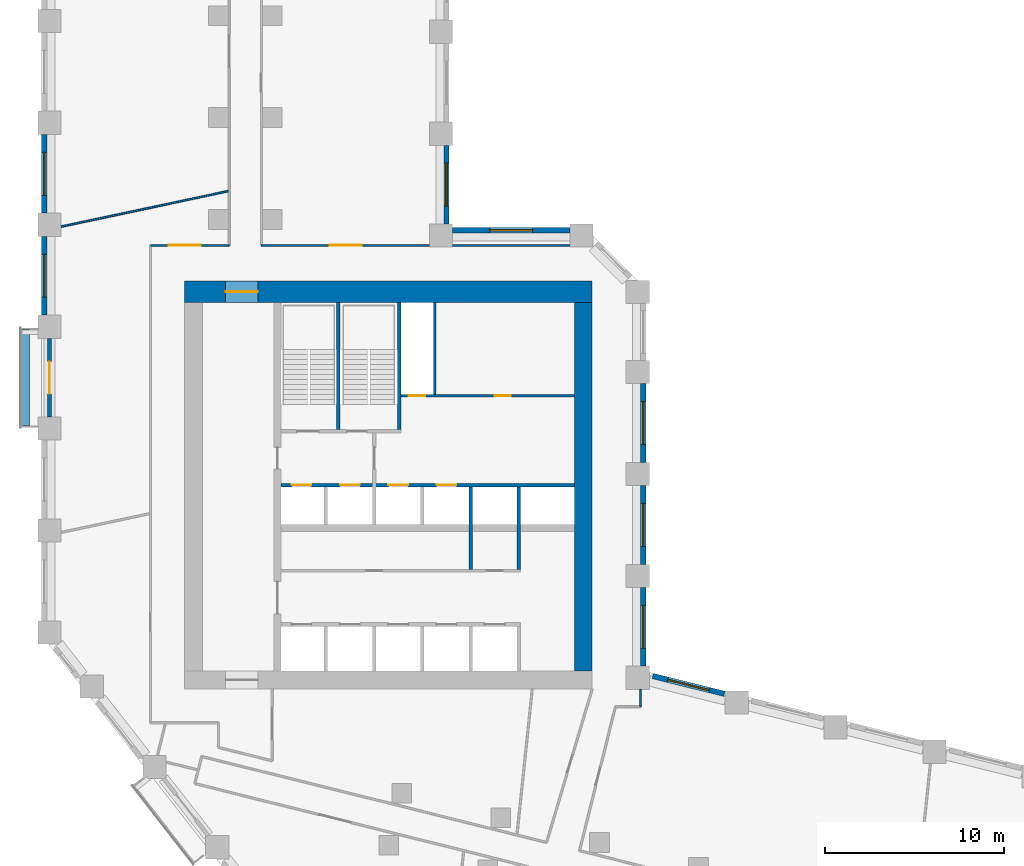
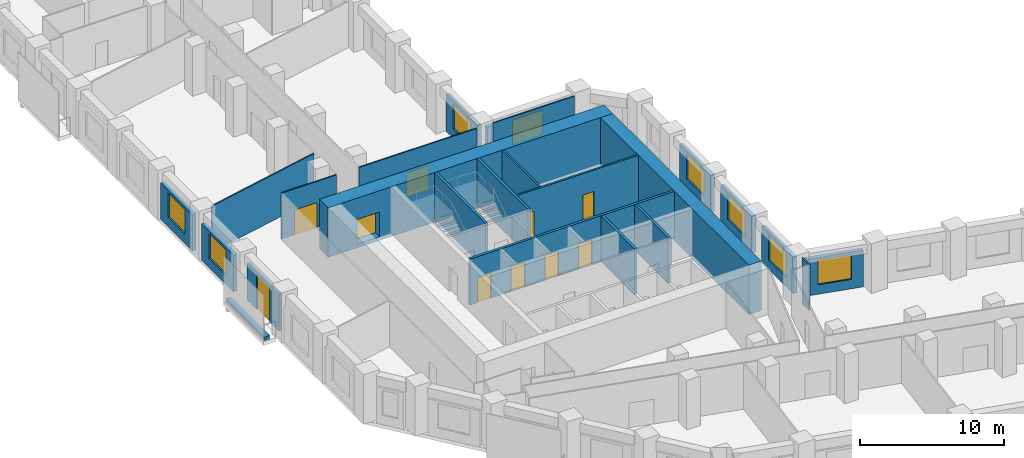
# One storey, part 5 of 11: 24 walls, 10 doors, 8 windows, 18 openings.
"""IFC4 building model written with IfcOpenShell, lengths in metres."""

from ifc_helpers import new_model, si_unit, direction, frame, frame_2d, origin, place, context, subcontext, project, spatial, rectangle, extrude, material, layer, layer_set, type_object, element, fill, save


model = new_model("IFC4")

# Units and contexts
model_context = context("Model", 3, precision=1e-05, world=origin(), true_north=direction((0.0, 1.0)))
body_context = subcontext(model_context, "Body", "Model", "MODEL_VIEW")
ifc_project = project(units=[si_unit("LENGTHUNIT", "METRE"), si_unit("AREAUNIT", "SQUARE_METRE"), si_unit("VOLUMEUNIT", "CUBIC_METRE"), si_unit("PLANEANGLEUNIT", "RADIAN"), si_unit("MASSUNIT", "GRAM", prefix="KILO")], contexts=[model_context])

# Site, building, storey
site_placement = place(None, origin())
site = spatial("IfcSite", under=ifc_project, at=site_placement, CompositionType="ELEMENT")
building_placement = place(site_placement, origin())
building = spatial("IfcBuilding", under=site, at=building_placement, Name="Meshkara Civic Tower", CompositionType="ELEMENT")
storey_placement = place(building_placement, frame((0.0, 0.0, 139.199951171875)))
storey = spatial("IfcBuildingStorey", under=building, at=storey_placement, Name="L31", CompositionType="ELEMENT", Elevation=139.199951171875)

# Wall, openings, doors
ifc_material_1 = material(Name="Blockwork", Category="masonry")
ifc_layer_1 = layer(ifc_material_1, 0.14990234375)
ifc_layer_set_1 = layer_set([ifc_layer_1], Name="Core partition 150")
wall_type_1 = type_object("IfcWallType", Name="Core partition 150", PredefinedType="PARTITIONING", material=ifc_layer_set_1)
wall_1_placement = place(storey_placement, frame((20.10009765625, 30.5, 0.0), z_axis=(0.0, 0.0, 1.0), x_axis=(1.0, 0.0, 0.0)))
wall_1 = element("IfcWall", 1, at=wall_1_placement, inside=storey, type_object=wall_type_1, Name="L31-C010", PredefinedType="PARTITIONING", context=body_context, shape_type="SweptSolid", body=[
    extrude(rectangle(XDim=9.699951171875, YDim=0.14990234375, at=frame_2d((4.85009765625, 0.0))), origin(), (0.0, 0.0, 1.0), 3.900146484375),
])
opening_1_placement = place(wall_1_placement, frame((0.449951171875, 0.0, 0.0)))
opening_1 = element("IfcOpeningElement", 2, at=opening_1_placement, cuts=wall_1, Name="Opening L31-K012", PredefinedType="OPENING", context=body_context, shape_type="SweptSolid", body=[
    extrude(rectangle(XDim=0.89990234375, YDim=2.10009765625, at=frame_2d((0.449951171875, 1.050048828125))), frame((0.0, 0.0849609375, 0.0), z_axis=(0.0, -1.0, 0.0), x_axis=(1.0, 0.0, 0.0)), (0.0, 0.0, 1.0), 0.169921875),
])
opening_2_placement = place(wall_1_placement, frame((5.25, 0.0, 0.0)))
opening_2 = element("IfcOpeningElement", 3, at=opening_2_placement, cuts=wall_1, Name="Opening L31-K013", PredefinedType="OPENING", context=body_context, shape_type="SweptSolid", body=[
    extrude(rectangle(XDim=0.89990234375, YDim=2.10009765625, at=frame_2d((0.449951171875, 1.050048828125))), frame((0.0, 0.0849609375, 0.0), z_axis=(0.0, -1.0, 0.0), x_axis=(1.0, 0.0, 0.0)), (0.0, 0.0, 1.0), 0.169921875),
])
ifc_material_2 = material(Name="Timber door leaf in steel frame", Category="steel")
door_type_1 = type_object("IfcDoorType", Name="Core room door 900", OperationType="SINGLE_SWING_LEFT", PredefinedType="DOOR", material=ifc_material_2)
door_1_placement = place(opening_2_placement, origin())
door_1 = element("IfcDoor", 4, at=door_1_placement, inside=storey, type_object=door_type_1, Name="L31-K013", OperationType="SINGLE_SWING_LEFT", OverallHeight=2.10009765625, OverallWidth=0.89990234375, PredefinedType="DOOR", context=body_context, shape_type="SweptSolid", body=[
    extrude(rectangle(XDim=0.89990234375, YDim=2.10009765625, at=frame_2d((0.449951171875, 1.050048828125))), frame((0.0, 0.02490234375, 0.0), z_axis=(0.0, -1.0, 0.0), x_axis=(1.0, 0.0, 0.0)), (0.0, 0.0, 1.0), 0.050048828125),
])
fill(opening_2, door_1)
ifc_material_3 = material(Name="Fire-rated door leaf in steel frame", Category="steel")
door_type_2 = type_object("IfcDoorType", Name="Riser door 900", OperationType="SINGLE_SWING_LEFT", PredefinedType="DOOR", material=ifc_material_3)
door_2_placement = place(opening_1_placement, origin())
door_2 = element("IfcDoor", 5, at=door_2_placement, inside=storey, type_object=door_type_2, Name="L31-K012", OperationType="SINGLE_SWING_RIGHT", OverallHeight=2.10009765625, OverallWidth=0.89990234375, PredefinedType="DOOR", context=body_context, shape_type="SweptSolid", body=[
    extrude(rectangle(XDim=0.89990234375, YDim=2.10009765625, at=frame_2d((0.449951171875, 1.050048828125))), frame((0.0, 0.02490234375, 0.0), z_axis=(0.0, -1.0, 0.0), x_axis=(1.0, 0.0, 0.0)), (0.0, 0.0, 1.0), 0.050048828125),
])
fill(opening_1, door_2)

# Walls
wall_2_placement = place(storey_placement, frame((22.0, 30.574951171875, 0.0), z_axis=(0.0, 0.0, 1.0), x_axis=(0.0, 1.0, 0.0)))
element("IfcWall", 6, at=wall_2_placement, inside=storey, type_object=wall_type_1, Name="L31-C020", PredefinedType="PARTITIONING", context=body_context, shape_type="SweptSolid", body=[
    extrude(rectangle(XDim=5.125, YDim=0.14990234375, at=frame_2d((2.5625, 0.0))), origin(), (0.0, 0.0, 1.0), 3.900146484375),
])
ifc_material_4 = material(Name="Concrete C70", Category="concrete")
ifc_layer_2 = layer(ifc_material_4, 1.0)
ifc_layer_set_2 = layer_set([ifc_layer_2], Name="Core ring wall 1000 C70")
wall_type_2 = type_object("IfcWallType", Name="Core ring wall 1000 C70", PredefinedType="SHEAR", material=ifc_layer_set_2)
wall_3_placement = place(storey_placement, frame((30.300048828125, 15.10009765625, -0.300048828125), z_axis=(0.0, 0.0, 1.0), x_axis=(0.0, 1.0, 0.0)))
element("IfcWall", 7, at=wall_3_placement, inside=storey, type_object=wall_type_2, Name="L31-C004", PredefinedType="SHEAR", context=body_context, shape_type="SweptSolid", body=[
    extrude(rectangle(XDim=20.599853515625, YDim=1.0, at=frame_2d((10.2998046875, 0.0))), origin(), (0.0, 0.0, 1.0), 4.2001953125),
])

# Wall, opening, door
ifc_material_5 = material(Name="Concrete C70", Category="concrete")
ifc_layer_3 = layer(ifc_material_5, 1.199951171875)
ifc_layer_set_3 = layer_set([ifc_layer_3], Name="Core ring wall 1200 C70")
wall_type_3 = type_object("IfcWallType", Name="Core ring wall 1200 C70", PredefinedType="SHEAR", material=ifc_layer_set_3)
wall_4_placement = place(storey_placement, frame((8.0, 36.300048828125, -0.300048828125), z_axis=(0.0, 0.0, 1.0), x_axis=(1.0, 0.0, 0.0)))
wall_4 = element("IfcWall", 8, at=wall_4_placement, inside=storey, type_object=wall_type_3, Name="L31-C002", PredefinedType="SHEAR", context=body_context, shape_type="SweptSolid", body=[
    extrude(rectangle(XDim=22.800048828125, YDim=1.199951171875, at=frame_2d((11.39990234375, 0.0))), origin(), (0.0, 0.0, 1.0), 4.2001953125),
])
opening_3_placement = place(wall_4_placement, frame((2.300048828125, 0.0, 0.300048828125)))
opening_3 = element("IfcOpeningElement", 9, at=opening_3_placement, cuts=wall_4, Name="Opening L31-K019", PredefinedType="OPENING", context=body_context, shape_type="SweptSolid", body=[
    extrude(rectangle(XDim=1.800048828125, YDim=2.10009765625, at=frame_2d((0.89990234375, 1.050048828125))), frame((0.0, 0.60986328125, 0.0), z_axis=(0.0, -1.0, 0.0), x_axis=(1.0, 0.0, 0.0)), (0.0, 0.0, 1.0), 1.219970703125),
])
ifc_material_6 = material(Name="Fire-rated door leaf in steel frame", Category="steel")
door_type_3 = type_object("IfcDoorType", Name="Core double door 1800 EI 60", OperationType="DOUBLE_DOOR_SINGLE_SWING", PredefinedType="DOOR", material=ifc_material_6)
door_3_placement = place(opening_3_placement, origin())
door_3 = element("IfcDoor", 10, at=door_3_placement, inside=storey, type_object=door_type_3, Name="L31-K019", OperationType="DOUBLE_DOOR_SINGLE_SWING", OverallHeight=2.10009765625, OverallWidth=1.800048828125, PredefinedType="DOOR", context=body_context, shape_type="SweptSolid", body=[
    extrude(rectangle(XDim=1.800048828125, YDim=2.10009765625, at=frame_2d((0.89990234375, 1.050048828125))), frame((0.0, 0.02490234375, 0.0), z_axis=(0.0, -1.0, 0.0), x_axis=(1.0, 0.0, 0.0)), (0.0, 0.0, 1.0), 0.050048828125),
])
fill(opening_3, door_3)

ifc_material_7 = material(Name="Corridor wall 100")
ifc_layer_4 = layer(ifc_material_7, 0.10009765625)
ifc_layer_set_4 = layer_set([ifc_layer_4], Name="Corridor wall 100")
wall_type_4 = type_object("IfcWallType", Name="Corridor wall 100", PredefinedType="PARTITIONING", material=ifc_layer_set_4)
wall_5_placement = place(storey_placement, frame((10.5, 38.89990234375, 0.0), z_axis=(0.0, 0.0, 1.0), x_axis=(-1.0, 0.0, 0.0)))
wall_5 = element("IfcWall", 11, at=wall_5_placement, inside=storey, type_object=wall_type_4, Name="L31-W011", PredefinedType="PARTITIONING", context=body_context, shape_type="SweptSolid", body=[
    extrude(rectangle(XDim=4.39990234375, YDim=0.10009765625, at=frame_2d((2.199951171875, 0.0))), origin(), (0.0, 0.0, 1.0), 3.900146484375),
])
opening_4_placement = place(wall_5_placement, frame((1.580078125, 0.0, 0.0)))
opening_4 = element("IfcOpeningElement", 12, at=opening_4_placement, cuts=wall_5, Name="Opening L31-D016", PredefinedType="OPENING", context=body_context, shape_type="SweptSolid", body=[
    extrude(rectangle(XDim=1.800048828125, YDim=2.10009765625, at=frame_2d((0.89990234375, 1.050048828125))), frame((0.0, 0.06005859375, 0.0), z_axis=(0.0, -1.0, 0.0), x_axis=(1.0, 0.0, 0.0)), (0.0, 0.0, 1.0), 0.1201171875),
])
ifc_material_8 = material(Name="Door pair 1800 x 2100")
door_type_4 = type_object("IfcDoorType", Name="Door pair 1800 x 2100", OperationType="SINGLE_SWING_LEFT", PredefinedType="DOOR", material=ifc_material_8)
door_4_placement = place(opening_4_placement, origin())
door_4 = element("IfcDoor", 13, at=door_4_placement, inside=storey, type_object=door_type_4, Name="L31-D016", OperationType="DOUBLE_DOOR_SINGLE_SWING", OverallHeight=2.10009765625, OverallWidth=1.800048828125, PredefinedType="DOOR", context=body_context, shape_type="SweptSolid", body=[
    extrude(rectangle(XDim=1.800048828125, YDim=2.10009765625, at=frame_2d((0.89990234375, 1.050048828125))), frame((0.0, 0.02490234375, 0.0), z_axis=(0.0, -1.0, 0.0), x_axis=(1.0, 0.0, 0.0)), (0.0, 0.0, 1.0), 0.050048828125),
])
fill(opening_4, door_4)

wall_6_placement = place(storey_placement, frame((21.699951171875, 38.89990234375, 0.0), z_axis=(0.0, 0.0, 1.0), x_axis=(-1.0, 0.0, 0.0)))
wall_6 = element("IfcWall", 14, at=wall_6_placement, inside=storey, type_object=wall_type_4, Name="L31-W018", PredefinedType="PARTITIONING", context=body_context, shape_type="SweptSolid", body=[
    extrude(rectangle(XDim=9.39990234375, YDim=0.10009765625, at=frame_2d((4.699951171875, 0.0))), origin(), (0.0, 0.0, 1.0), 3.900146484375),
])
opening_5_placement = place(wall_6_placement, frame((3.780029296875, 0.0, 0.0)))
opening_5 = element("IfcOpeningElement", 15, at=opening_5_placement, cuts=wall_6, Name="Opening L31-D017", PredefinedType="OPENING", context=body_context, shape_type="SweptSolid", body=[
    extrude(rectangle(XDim=1.800048828125, YDim=2.10009765625, at=frame_2d((0.89990234375, 1.050048828125))), frame((0.0, 0.06005859375, 0.0), z_axis=(0.0, -1.0, 0.0), x_axis=(1.0, 0.0, 0.0)), (0.0, 0.0, 1.0), 0.1201171875),
])
door_5_placement = place(opening_5_placement, origin())
door_5 = element("IfcDoor", 16, at=door_5_placement, inside=storey, type_object=door_type_4, Name="L31-D017", OperationType="DOUBLE_DOOR_SINGLE_SWING", OverallHeight=2.10009765625, OverallWidth=1.800048828125, PredefinedType="DOOR", context=body_context, shape_type="SweptSolid", body=[
    extrude(rectangle(XDim=1.800048828125, YDim=2.10009765625, at=frame_2d((0.89990234375, 1.050048828125))), frame((0.0, 0.02490234375, 0.0), z_axis=(0.0, -1.0, 0.0), x_axis=(1.0, 0.0, 0.0)), (0.0, 0.0, 1.0), 0.050048828125),
])
fill(opening_5, door_5)

# Walls
wall_7_placement = place(storey_placement, frame((29.5439453125, 38.89990234375, 0.0), z_axis=(0.0, 0.0, 1.0), x_axis=(-1.0, 0.0, 0.0)))
element("IfcWall", 17, at=wall_7_placement, inside=storey, type_object=wall_type_4, Name="L31-W019", PredefinedType="PARTITIONING", context=body_context, shape_type="SweptSolid", body=[
    extrude(rectangle(XDim=6.5439453125, YDim=0.10009765625, at=frame_2d((3.27197265625, 0.0))), origin(), (0.0, 0.0, 1.0), 3.900146484375),
])
wall_8_placement = place(storey_placement, frame((33.5, 13.10009765625, 0.0), z_axis=(0.0, 0.0, 1.0), x_axis=(0.0, 1.0, 0.0)))
element("IfcWall", 18, at=wall_8_placement, inside=storey, type_object=wall_type_4, Name="L31-W024", PredefinedType="PARTITIONING", context=body_context, shape_type="SweptSolid", body=[
    extrude(rectangle(XDim=0.968994140625, YDim=0.10009765625, at=frame_2d((0.484375, 0.0))), origin(), (0.0, 0.0, 1.0), 3.900146484375),
])

# Wall, opening, window
ifc_material_9 = material(Name="Insulated infill panel with bronze anodised aluminium cladding", Category="aluminium")
ifc_layer_5 = layer(ifc_material_9, 0.300048828125)
ifc_layer_set_5 = layer_set([ifc_layer_5], Name="EXTERNAL INFILL WALL 300")
wall_type_5 = type_object("IfcWallType", Name="EXTERNAL INFILL WALL 300", PredefinedType="SOLIDWALL", material=ifc_layer_set_5)
wall_9_placement = place(storey_placement, frame((38.18896484375, 13.822021484375, 0.0), z_axis=(0.0, 0.0, 1.0), x_axis=(-0.970281616392, 0.241978480223, 0.0)))
wall_9 = element("IfcWall", 19, at=wall_9_placement, inside=storey, type_object=wall_type_5, Name="External wall", PredefinedType="SOLIDWALL", context=body_context, shape_type="SweptSolid", body=[
    extrude(rectangle(XDim=4.12451171875, YDim=0.300048828125, at=frame_2d((2.062255859375, 0.0))), origin(), (0.0, 0.0, 1.0), 3.10009765625),
])
opening_6_placement = place(wall_9_placement, frame((0.862060546875, 0.0, 0.800048828125)))
opening_6 = element("IfcOpeningElement", 20, at=opening_6_placement, cuts=wall_9, Name="Opening W7", PredefinedType="OPENING", context=body_context, shape_type="SweptSolid", body=[
    extrude(rectangle(XDim=2.39990234375, YDim=2.10009765625, at=frame_2d((1.199951171875, 1.050048828125))), frame((0.0, 0.159912109375, 0.0), z_axis=(0.0, -1.0, 0.0), x_axis=(1.0, 0.0, 0.0)), (0.0, 0.0, 1.0), 0.320068359375),
])
ifc_material_10 = material(Name="Tinted double glazing", Category="glass")
window_type = type_object("IfcWindowType", Name="WINDOW 2400x2100", PartitioningType="DOUBLE_PANEL_VERTICAL", PredefinedType="WINDOW", material=ifc_material_10)
window_1_placement = place(opening_6_placement, origin())
window_1 = element("IfcWindow", 21, at=window_1_placement, inside=storey, type_object=window_type, Name="Window", OverallHeight=2.10009765625, OverallWidth=2.39990234375, PartitioningType="DOUBLE_PANEL_VERTICAL", PredefinedType="WINDOW", context=body_context, shape_type="SweptSolid", body=[
    extrude(rectangle(XDim=2.39990234375, YDim=2.10009765625, at=frame_2d((1.199951171875, 1.050048828125))), frame((0.0, 0.030029296875, 0.0), z_axis=(0.0, -1.0, 0.0), x_axis=(1.0, 0.0, 0.0)), (0.0, 0.0, 1.0), 0.06005859375),
])
fill(opening_6, window_1)

wall_10_placement = place(storey_placement, frame((33.64990234375, 15.368896484375, 0.0), z_axis=(0.0, 0.0, 1.0), x_axis=(0.0, 1.0, 0.0)))
wall_10 = element("IfcWall", 22, at=wall_10_placement, inside=storey, type_object=wall_type_5, Name="External wall", PredefinedType="SOLIDWALL", context=body_context, shape_type="SweptSolid", body=[
    extrude(rectangle(XDim=4.400146484375, YDim=0.300048828125, at=frame_2d((2.2001953125, 0.0))), origin(), (0.0, 0.0, 1.0), 3.10009765625),
])
opening_7_placement = place(wall_10_placement, frame((1.0, 0.0, 0.800048828125)))
opening_7 = element("IfcOpeningElement", 23, at=opening_7_placement, cuts=wall_10, Name="Opening W7", PredefinedType="OPENING", context=body_context, shape_type="SweptSolid", body=[
    extrude(rectangle(XDim=2.39990234375, YDim=2.10009765625, at=frame_2d((1.199951171875, 1.050048828125))), frame((0.0, 0.159912109375, 0.0), z_axis=(0.0, -1.0, 0.0), x_axis=(1.0, 0.0, 0.0)), (0.0, 0.0, 1.0), 0.320068359375),
])
window_2_placement = place(opening_7_placement, origin())
window_2 = element("IfcWindow", 24, at=window_2_placement, inside=storey, type_object=window_type, Name="Window", OverallHeight=2.10009765625, OverallWidth=2.39990234375, PartitioningType="DOUBLE_PANEL_VERTICAL", PredefinedType="WINDOW", context=body_context, shape_type="SweptSolid", body=[
    extrude(rectangle(XDim=2.39990234375, YDim=2.10009765625, at=frame_2d((1.199951171875, 1.050048828125))), frame((0.0, 0.030029296875, 0.0), z_axis=(0.0, -1.0, 0.0), x_axis=(1.0, 0.0, 0.0)), (0.0, 0.0, 1.0), 0.06005859375),
])
fill(opening_7, window_2)

wall_11_placement = place(storey_placement, frame((33.64990234375, 21.069091796875, 0.0), z_axis=(0.0, 0.0, 1.0), x_axis=(0.0, 1.0, 0.0)))
wall_11 = element("IfcWall", 25, at=wall_11_placement, inside=storey, type_object=wall_type_5, Name="External wall", PredefinedType="SOLIDWALL", context=body_context, shape_type="SweptSolid", body=[
    extrude(rectangle(XDim=4.39990234375, YDim=0.300048828125, at=frame_2d((2.199951171875, 0.0))), origin(), (0.0, 0.0, 1.0), 3.10009765625),
])
opening_8_placement = place(wall_11_placement, frame((1.0, 0.0, 0.800048828125)))
opening_8 = element("IfcOpeningElement", 26, at=opening_8_placement, cuts=wall_11, Name="Opening W7", PredefinedType="OPENING", context=body_context, shape_type="SweptSolid", body=[
    extrude(rectangle(XDim=2.39990234375, YDim=2.10009765625, at=frame_2d((1.199951171875, 1.050048828125))), frame((0.0, 0.159912109375, 0.0), z_axis=(0.0, -1.0, 0.0), x_axis=(1.0, 0.0, 0.0)), (0.0, 0.0, 1.0), 0.320068359375),
])
window_3_placement = place(opening_8_placement, origin())
window_3 = element("IfcWindow", 27, at=window_3_placement, inside=storey, type_object=window_type, Name="Window", OverallHeight=2.10009765625, OverallWidth=2.39990234375, PartitioningType="DOUBLE_PANEL_VERTICAL", PredefinedType="WINDOW", context=body_context, shape_type="SweptSolid", body=[
    extrude(rectangle(XDim=2.39990234375, YDim=2.10009765625, at=frame_2d((1.199951171875, 1.050048828125))), frame((0.0, 0.030029296875, 0.0), z_axis=(0.0, -1.0, 0.0), x_axis=(1.0, 0.0, 0.0)), (0.0, 0.0, 1.0), 0.06005859375),
])
fill(opening_8, window_3)

wall_12_placement = place(storey_placement, frame((33.64990234375, 26.76904296875, 0.0), z_axis=(0.0, 0.0, 1.0), x_axis=(0.0, 1.0, 0.0)))
wall_12 = element("IfcWall", 28, at=wall_12_placement, inside=storey, type_object=wall_type_5, Name="External wall", PredefinedType="SOLIDWALL", context=body_context, shape_type="SweptSolid", body=[
    extrude(rectangle(XDim=4.39990234375, YDim=0.300048828125, at=frame_2d((2.199951171875, 0.0))), origin(), (0.0, 0.0, 1.0), 3.10009765625),
])
opening_9_placement = place(wall_12_placement, frame((1.0, 0.0, 0.800048828125)))
opening_9 = element("IfcOpeningElement", 29, at=opening_9_placement, cuts=wall_12, Name="Opening W7", PredefinedType="OPENING", context=body_context, shape_type="SweptSolid", body=[
    extrude(rectangle(XDim=2.39990234375, YDim=2.10009765625, at=frame_2d((1.199951171875, 1.050048828125))), frame((0.0, 0.159912109375, 0.0), z_axis=(0.0, -1.0, 0.0), x_axis=(1.0, 0.0, 0.0)), (0.0, 0.0, 1.0), 0.320068359375),
])
window_4_placement = place(opening_9_placement, origin())
window_4 = element("IfcWindow", 30, at=window_4_placement, inside=storey, type_object=window_type, Name="Window", OverallHeight=2.10009765625, OverallWidth=2.39990234375, PartitioningType="DOUBLE_PANEL_VERTICAL", PredefinedType="WINDOW", context=body_context, shape_type="SweptSolid", body=[
    extrude(rectangle(XDim=2.39990234375, YDim=2.10009765625, at=frame_2d((1.199951171875, 1.050048828125))), frame((0.0, 0.030029296875, 0.0), z_axis=(0.0, -1.0, 0.0), x_axis=(1.0, 0.0, 0.0)), (0.0, 0.0, 1.0), 0.06005859375),
])
fill(opening_9, window_4)

wall_13_placement = place(storey_placement, frame((29.5439453125, 39.75, 0.0), z_axis=(0.0, 0.0, 1.0), x_axis=(-1.0, 0.0, 0.0)))
wall_13 = element("IfcWall", 31, at=wall_13_placement, inside=storey, type_object=wall_type_5, Name="External wall", PredefinedType="SOLIDWALL", context=body_context, shape_type="SweptSolid", body=[
    extrude(rectangle(XDim=6.5439453125, YDim=0.300048828125, at=frame_2d((3.27197265625, 0.0))), origin(), (0.0, 0.0, 1.0), 3.10009765625),
])
opening_10_placement = place(wall_13_placement, frame((2.072021484375, 0.0, 0.800048828125)))
opening_10 = element("IfcOpeningElement", 32, at=opening_10_placement, cuts=wall_13, Name="Opening W7", PredefinedType="OPENING", context=body_context, shape_type="SweptSolid", body=[
    extrude(rectangle(XDim=2.39990234375, YDim=2.10009765625, at=frame_2d((1.199951171875, 1.050048828125))), frame((0.0, 0.159912109375, 0.0), z_axis=(0.0, -1.0, 0.0), x_axis=(1.0, 0.0, 0.0)), (0.0, 0.0, 1.0), 0.320068359375),
])
window_5_placement = place(opening_10_placement, origin())
window_5 = element("IfcWindow", 33, at=window_5_placement, inside=storey, type_object=window_type, Name="Window", OverallHeight=2.10009765625, OverallWidth=2.39990234375, PartitioningType="DOUBLE_PANEL_VERTICAL", PredefinedType="WINDOW", context=body_context, shape_type="SweptSolid", body=[
    extrude(rectangle(XDim=2.39990234375, YDim=2.10009765625, at=frame_2d((1.199951171875, 1.050048828125))), frame((0.0, 0.030029296875, 0.0), z_axis=(0.0, -1.0, 0.0), x_axis=(1.0, 0.0, 0.0)), (0.0, 0.0, 1.0), 0.06005859375),
])
fill(opening_10, window_5)

wall_14_placement = place(storey_placement, frame((22.64990234375, 40.10009765625, 0.0), z_axis=(0.0, 0.0, 1.0), x_axis=(0.0, 1.0, 0.0)))
wall_14 = element("IfcWall", 34, at=wall_14_placement, inside=storey, type_object=wall_type_5, Name="External wall", PredefinedType="SOLIDWALL", context=body_context, shape_type="SweptSolid", body=[
    extrude(rectangle(XDim=4.39990234375, YDim=0.300048828125, at=frame_2d((2.199951171875, 0.0))), origin(), (0.0, 0.0, 1.0), 3.10009765625),
])
opening_11_placement = place(wall_14_placement, frame((1.0, 0.0, 0.800048828125)))
opening_11 = element("IfcOpeningElement", 35, at=opening_11_placement, cuts=wall_14, Name="Opening W7", PredefinedType="OPENING", context=body_context, shape_type="SweptSolid", body=[
    extrude(rectangle(XDim=2.39990234375, YDim=2.10009765625, at=frame_2d((1.199951171875, 1.050048828125))), frame((0.0, 0.159912109375, 0.0), z_axis=(0.0, -1.0, 0.0), x_axis=(1.0, 0.0, 0.0)), (0.0, 0.0, 1.0), 0.320068359375),
])
window_6_placement = place(opening_11_placement, origin())
window_6 = element("IfcWindow", 36, at=window_6_placement, inside=storey, type_object=window_type, Name="Window", OverallHeight=2.10009765625, OverallWidth=2.39990234375, PartitioningType="DOUBLE_PANEL_VERTICAL", PredefinedType="WINDOW", context=body_context, shape_type="SweptSolid", body=[
    extrude(rectangle(XDim=2.39990234375, YDim=2.10009765625, at=frame_2d((1.199951171875, 1.050048828125))), frame((0.0, 0.030029296875, 0.0), z_axis=(0.0, -1.0, 0.0), x_axis=(1.0, 0.0, 0.0)), (0.0, 0.0, 1.0), 0.06005859375),
])
fill(opening_11, window_6)

wall_15_placement = place(storey_placement, frame((0.14990234375, 45.10498046875, 0.0), z_axis=(0.0, 0.0, 1.0), x_axis=(0.0, -1.0, 0.0)))
wall_15 = element("IfcWall", 37, at=wall_15_placement, inside=storey, type_object=wall_type_5, Name="External wall", PredefinedType="SOLIDWALL", context=body_context, shape_type="SweptSolid", body=[
    extrude(rectangle(XDim=4.39990234375, YDim=0.300048828125, at=frame_2d((2.199951171875, 0.0))), origin(), (0.0, 0.0, 1.0), 3.10009765625),
])
opening_12_placement = place(wall_15_placement, frame((1.0, 0.0, 0.800048828125)))
opening_12 = element("IfcOpeningElement", 38, at=opening_12_placement, cuts=wall_15, Name="Opening W7", PredefinedType="OPENING", context=body_context, shape_type="SweptSolid", body=[
    extrude(rectangle(XDim=2.39990234375, YDim=2.10009765625, at=frame_2d((1.199951171875, 1.050048828125))), frame((0.0, 0.159912109375, 0.0), z_axis=(0.0, -1.0, 0.0), x_axis=(1.0, 0.0, 0.0)), (0.0, 0.0, 1.0), 0.320068359375),
])
window_7_placement = place(opening_12_placement, origin())
window_7 = element("IfcWindow", 39, at=window_7_placement, inside=storey, type_object=window_type, Name="Window", OverallHeight=2.10009765625, OverallWidth=2.39990234375, PartitioningType="DOUBLE_PANEL_VERTICAL", PredefinedType="WINDOW", context=body_context, shape_type="SweptSolid", body=[
    extrude(rectangle(XDim=2.39990234375, YDim=2.10009765625, at=frame_2d((1.199951171875, 1.050048828125))), frame((0.0, 0.030029296875, 0.0), z_axis=(0.0, -1.0, 0.0), x_axis=(1.0, 0.0, 0.0)), (0.0, 0.0, 1.0), 0.06005859375),
])
fill(opening_12, window_7)

wall_16_placement = place(storey_placement, frame((0.14990234375, 39.405029296875, 0.0), z_axis=(0.0, 0.0, 1.0), x_axis=(0.0, -1.0, 0.0)))
wall_16 = element("IfcWall", 40, at=wall_16_placement, inside=storey, type_object=wall_type_5, Name="External wall", PredefinedType="SOLIDWALL", context=body_context, shape_type="SweptSolid", body=[
    extrude(rectangle(XDim=4.400146484375, YDim=0.300048828125, at=frame_2d((2.2001953125, 0.0))), origin(), (0.0, 0.0, 1.0), 3.10009765625),
])
opening_13_placement = place(wall_16_placement, frame((1.0, 0.0, 0.800048828125)))
opening_13 = element("IfcOpeningElement", 41, at=opening_13_placement, cuts=wall_16, Name="Opening W7", PredefinedType="OPENING", context=body_context, shape_type="SweptSolid", body=[
    extrude(rectangle(XDim=2.39990234375, YDim=2.10009765625, at=frame_2d((1.199951171875, 1.050048828125))), frame((0.0, 0.159912109375, 0.0), z_axis=(0.0, -1.0, 0.0), x_axis=(1.0, 0.0, 0.0)), (0.0, 0.0, 1.0), 0.320068359375),
])
window_8_placement = place(opening_13_placement, origin())
window_8 = element("IfcWindow", 42, at=window_8_placement, inside=storey, type_object=window_type, Name="Window", OverallHeight=2.10009765625, OverallWidth=2.39990234375, PartitioningType="DOUBLE_PANEL_VERTICAL", PredefinedType="WINDOW", context=body_context, shape_type="SweptSolid", body=[
    extrude(rectangle(XDim=2.39990234375, YDim=2.10009765625, at=frame_2d((1.199951171875, 1.050048828125))), frame((0.0, 0.030029296875, 0.0), z_axis=(0.0, -1.0, 0.0), x_axis=(1.0, 0.0, 0.0)), (0.0, 0.0, 1.0), 0.06005859375),
])
fill(opening_13, window_8)

# Wall, opening, door
ifc_material_11 = material(Name="Insulated infill panel with bronze anodised aluminium cladding", Category="aluminium")
ifc_layer_6 = layer(ifc_material_11, 0.199951171875)
ifc_layer_set_6 = layer_set([ifc_layer_6], Name="LOGGIA BACK WALL 200")
wall_type_6 = type_object("IfcWallType", Name="LOGGIA BACK WALL 200", PredefinedType="SOLIDWALL", material=ifc_layer_set_6)
wall_17_placement = place(storey_placement, frame((0.449951171875, 33.7041015625, 0.0), z_axis=(0.0, 0.0, 1.0), x_axis=(0.0, -1.0, 0.0)))
wall_17 = element("IfcWall", 43, at=wall_17_placement, inside=storey, type_object=wall_type_6, Name="Loggia wall", PredefinedType="SOLIDWALL", context=body_context, shape_type="SweptSolid", body=[
    extrude(rectangle(XDim=4.398193359375, YDim=0.199951171875, at=frame_2d((2.19921875, 0.0))), origin(), (0.0, 0.0, 1.0), 3.10009765625),
])
opening_14_placement = place(wall_17_placement, frame((1.300048828125, 0.0, 0.0)))
opening_14 = element("IfcOpeningElement", 44, at=opening_14_placement, cuts=wall_17, Name="Opening L31-L002", PredefinedType="OPENING", context=body_context, shape_type="SweptSolid", body=[
    extrude(rectangle(XDim=1.800048828125, YDim=2.89990234375, at=frame_2d((0.89990234375, 1.449951171875))), frame((0.0, 0.10986328125, 0.0), z_axis=(0.0, -1.0, 0.0), x_axis=(1.0, 0.0, 0.0)), (0.0, 0.0, 1.0), 0.219970703125),
])
ifc_material_12 = material(Name="Tinted double glazing", Category="glass")
door_type_5 = type_object("IfcDoorType", Name="LOGGIA DOOR 1800x2900", OperationType="DOUBLE_DOOR_SINGLE_SWING", PredefinedType="DOOR", material=ifc_material_12)
door_6_placement = place(opening_14_placement, origin())
door_6 = element("IfcDoor", 45, at=door_6_placement, inside=storey, type_object=door_type_5, Name="L31-L002", OperationType="DOUBLE_DOOR_SINGLE_SWING", OverallHeight=2.89990234375, OverallWidth=1.800048828125, PredefinedType="DOOR", context=body_context, shape_type="SweptSolid", body=[
    extrude(rectangle(XDim=1.800048828125, YDim=2.89990234375, at=frame_2d((0.89990234375, 1.449951171875))), frame((0.0, 0.02490234375, 0.0), z_axis=(0.0, -1.0, 0.0), x_axis=(1.0, 0.0, 0.0)), (0.0, 0.0, 1.0), 0.050048828125),
])
fill(opening_14, door_6)

# Walls
ifc_material_13 = material(Name="Concrete C40", Category="concrete")
ifc_layer_7 = layer(ifc_material_13, 0.39990234375)
ifc_layer_set_7 = layer_set([ifc_layer_7], Name="PLANTER TRAY")
wall_type_7 = type_object("IfcWallType", Name="PLANTER TRAY", PredefinedType="SOLIDWALL", material=ifc_layer_set_7)
wall_18_placement = place(storey_placement, frame((-0.8798828125, 34.18505859375, 0.0), z_axis=(0.0, 0.0, 1.0), x_axis=(0.0, -1.0, 0.0)))
element("IfcWall", 46, at=wall_18_placement, inside=storey, type_object=wall_type_7, Name="Planter", PredefinedType="SOLIDWALL", context=body_context, shape_type="SweptSolid", body=[
    extrude(rectangle(XDim=5.360107421875, YDim=0.39990234375, at=frame_2d((2.68017578125, 0.0))), origin(), (0.0, 0.0, 1.0), 0.300048828125),
])
ifc_material_14 = material(Name="Partition 100")
ifc_layer_8 = layer(ifc_material_14, 0.10009765625)
ifc_layer_set_8 = layer_set([ifc_layer_8], Name="Partition 100")
wall_type_8 = type_object("IfcWallType", Name="Partition 100", PredefinedType="PARTITIONING", material=ifc_layer_set_8)
wall_19_placement = place(storey_placement, frame((10.43994140625, 41.93408203125, 0.0), z_axis=(0.0, 0.0, 1.0), x_axis=(-0.978129729955, -0.207995748463, 0.0)))
element("IfcWall", 47, at=wall_19_placement, inside=storey, type_object=wall_type_8, Name="L31-W036", PredefinedType="PARTITIONING", context=body_context, shape_type="SweptSolid", body=[
    extrude(rectangle(XDim=9.548583984375, YDim=0.10009765625, at=frame_2d((4.7744140625, 0.0))), origin(), (0.0, 0.0, 1.0), 3.900146484375),
])

# Wall, openings, doors
ifc_material_15 = material(Name="Concrete C40/50", Category="concrete")
ifc_layer_9 = layer(ifc_material_15, 0.199951171875)
ifc_layer_set_9 = layer_set([ifc_layer_9], Name="Shaft wall 200 C40/50")
wall_type_9 = type_object("IfcWallType", Name="Shaft wall 200 C40/50", PredefinedType="SOLIDWALL", material=ifc_layer_set_9)
wall_20_placement = place(storey_placement, frame((13.39990234375, 25.5, 0.0), z_axis=(0.0, 0.0, 1.0), x_axis=(1.0, 0.0, 0.0)))
wall_20 = element("IfcWall", 48, at=wall_20_placement, inside=storey, type_object=wall_type_9, Name="L31-C008", PredefinedType="SOLIDWALL", context=body_context, shape_type="SweptSolid", body=[
    extrude(rectangle(XDim=16.400146484375, YDim=0.199951171875, at=frame_2d((8.2001953125, 0.0))), origin(), (0.0, 0.0, 1.0), 3.900146484375),
])
opening_15_placement = place(wall_20_placement, frame((0.60009765625, 0.0, 0.0)))
opening_15 = element("IfcOpeningElement", 49, at=opening_15_placement, cuts=wall_20, Name="Opening L31-K006", PredefinedType="OPENING", context=body_context, shape_type="SweptSolid", body=[
    extrude(rectangle(XDim=1.10009765625, YDim=2.10009765625, at=frame_2d((0.550048828125, 1.050048828125))), frame((0.0, 0.10986328125, 0.0), z_axis=(0.0, -1.0, 0.0), x_axis=(1.0, 0.0, 0.0)), (0.0, 0.0, 1.0), 0.219970703125),
])
opening_16_placement = place(wall_20_placement, frame((3.300048828125, 0.0, 0.0)))
opening_16 = element("IfcOpeningElement", 50, at=opening_16_placement, cuts=wall_20, Name="Opening L31-K007", PredefinedType="OPENING", context=body_context, shape_type="SweptSolid", body=[
    extrude(rectangle(XDim=1.10009765625, YDim=2.10009765625, at=frame_2d((0.550048828125, 1.050048828125))), frame((0.0, 0.10986328125, 0.0), z_axis=(0.0, -1.0, 0.0), x_axis=(1.0, 0.0, 0.0)), (0.0, 0.0, 1.0), 0.219970703125),
])
opening_17_placement = place(wall_20_placement, frame((6.0, 0.0, 0.0)))
opening_17 = element("IfcOpeningElement", 51, at=opening_17_placement, cuts=wall_20, Name="Opening L31-K008", PredefinedType="OPENING", context=body_context, shape_type="SweptSolid", body=[
    extrude(rectangle(XDim=1.10009765625, YDim=2.10009765625, at=frame_2d((0.550048828125, 1.050048828125))), frame((0.0, 0.10986328125, 0.0), z_axis=(0.0, -1.0, 0.0), x_axis=(1.0, 0.0, 0.0)), (0.0, 0.0, 1.0), 0.219970703125),
])
opening_18_placement = place(wall_20_placement, frame((8.699951171875, 0.0, 0.0)))
opening_18 = element("IfcOpeningElement", 52, at=opening_18_placement, cuts=wall_20, Name="Opening L31-K009", PredefinedType="OPENING", context=body_context, shape_type="SweptSolid", body=[
    extrude(rectangle(XDim=1.10009765625, YDim=2.10009765625, at=frame_2d((0.550048828125, 1.050048828125))), frame((0.0, 0.10986328125, 0.0), z_axis=(0.0, -1.0, 0.0), x_axis=(1.0, 0.0, 0.0)), (0.0, 0.0, 1.0), 0.219970703125),
])
ifc_material_16 = material(Name="Stainless steel landing door", Category="steel")
door_type_6 = type_object("IfcDoorType", Name="Lift landing door 1100", OperationType="SLIDING_TO_LEFT", PredefinedType="DOOR", material=ifc_material_16)
door_7_placement = place(opening_15_placement, origin())
door_7 = element("IfcDoor", 53, at=door_7_placement, inside=storey, type_object=door_type_6, Name="L31-K006", OperationType="SLIDING_TO_LEFT", OverallHeight=2.10009765625, OverallWidth=1.10009765625, PredefinedType="DOOR", context=body_context, shape_type="SweptSolid", body=[
    extrude(rectangle(XDim=1.10009765625, YDim=2.10009765625, at=frame_2d((0.550048828125, 1.050048828125))), frame((0.0, 0.02490234375, 0.0), z_axis=(0.0, -1.0, 0.0), x_axis=(1.0, 0.0, 0.0)), (0.0, 0.0, 1.0), 0.050048828125),
])
fill(opening_15, door_7)
door_8_placement = place(opening_16_placement, origin())
door_8 = element("IfcDoor", 54, at=door_8_placement, inside=storey, type_object=door_type_6, Name="L31-K007", OperationType="SLIDING_TO_LEFT", OverallHeight=2.10009765625, OverallWidth=1.10009765625, PredefinedType="DOOR", context=body_context, shape_type="SweptSolid", body=[
    extrude(rectangle(XDim=1.10009765625, YDim=2.10009765625, at=frame_2d((0.550048828125, 1.050048828125))), frame((0.0, 0.02490234375, 0.0), z_axis=(0.0, -1.0, 0.0), x_axis=(1.0, 0.0, 0.0)), (0.0, 0.0, 1.0), 0.050048828125),
])
fill(opening_16, door_8)
door_9_placement = place(opening_17_placement, origin())
door_9 = element("IfcDoor", 55, at=door_9_placement, inside=storey, type_object=door_type_6, Name="L31-K008", OperationType="SLIDING_TO_LEFT", OverallHeight=2.10009765625, OverallWidth=1.10009765625, PredefinedType="DOOR", context=body_context, shape_type="SweptSolid", body=[
    extrude(rectangle(XDim=1.10009765625, YDim=2.10009765625, at=frame_2d((0.550048828125, 1.050048828125))), frame((0.0, 0.02490234375, 0.0), z_axis=(0.0, -1.0, 0.0), x_axis=(1.0, 0.0, 0.0)), (0.0, 0.0, 1.0), 0.050048828125),
])
fill(opening_17, door_9)
door_10_placement = place(opening_18_placement, origin())
door_10 = element("IfcDoor", 56, at=door_10_placement, inside=storey, type_object=door_type_6, Name="L31-K009", OperationType="SLIDING_TO_LEFT", OverallHeight=2.10009765625, OverallWidth=1.10009765625, PredefinedType="DOOR", context=body_context, shape_type="SweptSolid", body=[
    extrude(rectangle(XDim=1.10009765625, YDim=2.10009765625, at=frame_2d((0.550048828125, 1.050048828125))), frame((0.0, 0.02490234375, 0.0), z_axis=(0.0, -1.0, 0.0), x_axis=(1.0, 0.0, 0.0)), (0.0, 0.0, 1.0), 0.050048828125),
])
fill(opening_18, door_10)

# Walls
for number, where, z_axis, x_axis, name in (
    (57, (24.0, 20.77490234375, 0.0), (0.0, 0.0, 1.0), (0.0, 1.0, 0.0), "L31-C022"),
    (58, (26.699951171875, 20.77490234375, 0.0), (0.0, 0.0, 1.0), (0.0, 1.0, 0.0), "L31-C024"),
):
    element("IfcWall", number, at=place(storey_placement, frame(where, z_axis=z_axis, x_axis=x_axis)), inside=storey, type_object=wall_type_9, Name=name, PredefinedType="SOLIDWALL", context=body_context, shape_type="SweptSolid", body=[
        extrude(rectangle(XDim=4.625, YDim=0.199951171875, at=frame_2d((2.3125, 0.0))), origin(), (0.0, 0.0, 1.0), 3.900146484375),
    ])
ifc_material_17 = material(Name="Concrete C40/50", Category="concrete")
ifc_layer_10 = layer(ifc_material_17, 0.199951171875)
ifc_layer_set_10 = layer_set([ifc_layer_10], Name="Stair enclosure wall 200 C40/50")
wall_type_10 = type_object("IfcWallType", Name="Stair enclosure wall 200 C40/50", PredefinedType="SOLIDWALL", material=ifc_layer_set_10)
for number, where, z_axis, x_axis, name in (
    (59, (16.60009765625, 28.60009765625, 0.0), (0.0, 0.0, 1.0), (0.0, 1.0, 0.0), "L31-C014"),
    (60, (20.0, 28.60009765625, 0.0), (0.0, 0.0, 1.0), (0.0, 1.0, 0.0), "L31-C017"),
):
    element("IfcWall", number, at=place(storey_placement, frame(where, z_axis=z_axis, x_axis=x_axis)), inside=storey, type_object=wall_type_10, Name=name, PredefinedType="SOLIDWALL", context=body_context, shape_type="SweptSolid", body=[
        extrude(rectangle(XDim=7.099853515625, YDim=0.199951171875, at=frame_2d((3.5498046875, 0.0))), origin(), (0.0, 0.0, 1.0), 3.900146484375),
    ])

save(model, "model.ifc")
